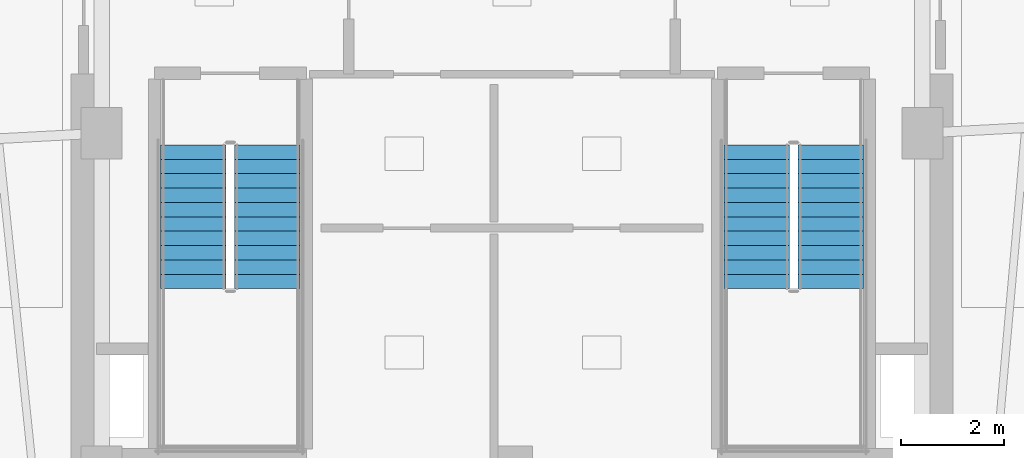
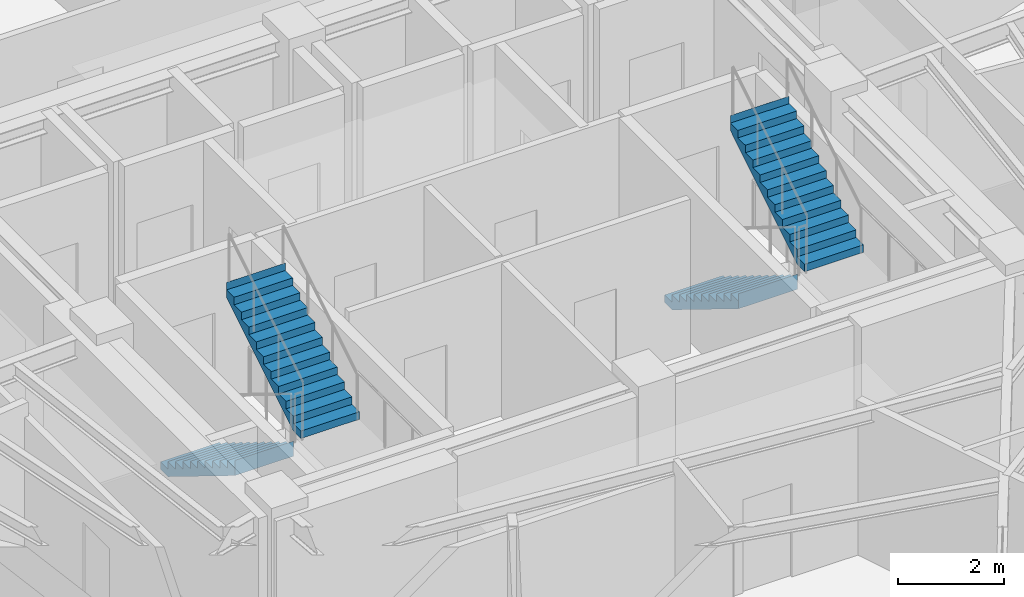
# One storey, part 10 of 13: 4 stair flights, 2 elements without a shape of their own.
"""IFC4 building model written with IfcOpenShell, lengths in metres."""

from ifc_helpers import new_model, si_unit, direction, frame, origin, place, context, subcontext, project, spatial, polyline, outline, extrude, material, type_object, element, aggregate, save


model = new_model("IFC4")

# Units and contexts
model_context = context("Model", 3, precision=1e-05, world=origin(), true_north=direction((0.0, 1.0)))
body_context = subcontext(model_context, "Body", "Model", "MODEL_VIEW")
ifc_project = project(units=[si_unit("LENGTHUNIT", "METRE"), si_unit("AREAUNIT", "SQUARE_METRE"), si_unit("VOLUMEUNIT", "CUBIC_METRE"), si_unit("PLANEANGLEUNIT", "RADIAN"), si_unit("MASSUNIT", "GRAM", prefix="KILO")], contexts=[model_context])

# Site, building, storey
site_placement = place(None, origin())
site = spatial("IfcSite", under=ifc_project, at=site_placement, CompositionType="ELEMENT")
building_placement = place(site_placement, origin())
building = spatial("IfcBuilding", under=site, at=building_placement, Name="Ndelora Gate Hotel", CompositionType="ELEMENT")
storey_placement = place(building_placement, frame((0.0, 0.0, 235.949951171875)))
storey = spatial("IfcBuildingStorey", under=building, at=storey_placement, Name="L59", CompositionType="ELEMENT", Elevation=235.949951171875)

# Stair, stair flights
ifc_material = material(Name="Precast concrete C40/50", Category="concrete")
stair_type = type_object("IfcStairType", Name="STR-DOG-CORE", PredefinedType="HALF_TURN_STAIR", material=ifc_material)
stair_1_placement = place(storey_placement, origin())
stair_1 = element("IfcStair", 1, at=stair_1_placement, inside=storey, type_object=stair_type, Name="L59 Protected Core Exit Stair ST4", PredefinedType="HALF_TURN_STAIR")
stair_flight_type = type_object("IfcStairFlightType", Name="STF-PRECAST", PredefinedType="STRAIGHT", material=ifc_material)
stair_flight_1_placement = place(storey_placement, frame((-6.2099609375, -0.22998046875, 0.0), z_axis=(0.0, 0.0, 1.0), x_axis=(0.0, -1.0, 0.0)))
stair_flight_1 = element("IfcStairFlight", 2, at=stair_flight_1_placement, type_object=stair_flight_type, Name="ST4 flight 1", NumberOfRisers=11, NumberOfTreads=10, PredefinedType="STRAIGHT", RiserHeight=0.172727273, TreadLength=0.28, context=body_context, shape_type="SweptSolid", body=[
    extrude(outline(polyline([(-0.00048828125, 0.0), (-0.00048828125, 0.172607421875), (0.0, 0.172607421875), (0.280029296875, 0.172607421875), (0.280029296875, 0.345458984375), (0.56005859375, 0.345458984375), (0.56005859375, 0.51806640625), (0.840087890625, 0.51806640625), (0.840087890625, 0.69091796875), (1.1201171875, 0.69091796875), (1.1201171875, 0.863525390625), (1.39990234375, 0.863525390625), (1.39990234375, 1.036376953125), (1.679931640625, 1.036376953125), (1.679931640625, 1.208984375), (1.9599609375, 1.208984375), (1.9599609375, 1.3818359375), (2.239990234375, 1.3818359375), (2.239990234375, 1.554443359375), (2.52001953125, 1.554443359375), (2.52001953125, 1.727294921875), (2.800048828125, 1.727294921875), (2.800048828125, 1.89990234375), (2.800537109375, 1.89990234375), (2.800537109375, 1.719970703125), (2.800048828125, 1.551025390625), (0.285400390625, 0.0), (-0.00048828125, 0.0)])), frame((0.0, 0.64013671875, 0.0), z_axis=(0.0, -1.0, 0.0), x_axis=(1.0, 0.0, 0.0)), (0.0, 0.0, 1.0), 1.280029296875),
])
stair_flight_2_placement = place(storey_placement, frame((-4.77001953125, -3.030029296875, 1.900146484375), z_axis=(0.0, 0.0, 1.0), x_axis=(0.0, 1.0, 0.0)))
stair_flight_2 = element("IfcStairFlight", 3, at=stair_flight_2_placement, type_object=stair_flight_type, Name="ST4 flight 2", NumberOfRisers=11, NumberOfTreads=10, PredefinedType="STRAIGHT", RiserHeight=0.172727273, TreadLength=0.28, context=body_context, shape_type="SweptSolid", body=[
    extrude(outline(polyline([(-0.00048828125, 0.0), (-0.00048828125, 0.172607421875), (0.0, 0.172607421875), (0.280029296875, 0.172607421875), (0.280029296875, 0.345458984375), (0.56005859375, 0.345458984375), (0.56005859375, 0.51806640625), (0.840087890625, 0.51806640625), (0.840087890625, 0.69091796875), (1.1201171875, 0.69091796875), (1.1201171875, 0.863525390625), (1.39990234375, 0.863525390625), (1.39990234375, 1.036376953125), (1.679931640625, 1.036376953125), (1.679931640625, 1.208984375), (1.9599609375, 1.208984375), (1.9599609375, 1.3818359375), (2.239990234375, 1.3818359375), (2.239990234375, 1.554443359375), (2.52001953125, 1.554443359375), (2.52001953125, 1.727294921875), (2.800048828125, 1.727294921875), (2.800048828125, 1.89990234375), (2.800537109375, 1.89990234375), (2.800537109375, 1.719970703125), (2.800048828125, 1.551025390625), (0.285400390625, 0.0), (-0.00048828125, 0.0)])), frame((0.0, 0.64013671875, 0.0), z_axis=(0.0, -1.0, 0.0), x_axis=(1.0, 0.0, 0.0)), (0.0, 0.0, 1.0), 1.280029296875),
])
aggregate(stair_1, [stair_flight_1, stair_flight_2])

stair_2_placement = place(storey_placement, origin())
stair_2 = element("IfcStair", 4, at=stair_2_placement, inside=storey, type_object=stair_type, Name="L59 Protected Core Exit Stair ST5", PredefinedType="HALF_TURN_STAIR")
stair_flight_3_placement = place(storey_placement, frame((4.77001953125, -0.22998046875, 0.0), z_axis=(0.0, 0.0, 1.0), x_axis=(0.0, -1.0, 0.0)))
stair_flight_3 = element("IfcStairFlight", 5, at=stair_flight_3_placement, type_object=stair_flight_type, Name="ST5 flight 1", NumberOfRisers=11, NumberOfTreads=10, PredefinedType="STRAIGHT", RiserHeight=0.172727273, TreadLength=0.28, context=body_context, shape_type="SweptSolid", body=[
    extrude(outline(polyline([(-0.00048828125, 0.0), (-0.00048828125, 0.172607421875), (0.0, 0.172607421875), (0.280029296875, 0.172607421875), (0.280029296875, 0.345458984375), (0.56005859375, 0.345458984375), (0.56005859375, 0.51806640625), (0.840087890625, 0.51806640625), (0.840087890625, 0.69091796875), (1.1201171875, 0.69091796875), (1.1201171875, 0.863525390625), (1.39990234375, 0.863525390625), (1.39990234375, 1.036376953125), (1.679931640625, 1.036376953125), (1.679931640625, 1.208984375), (1.9599609375, 1.208984375), (1.9599609375, 1.3818359375), (2.239990234375, 1.3818359375), (2.239990234375, 1.554443359375), (2.52001953125, 1.554443359375), (2.52001953125, 1.727294921875), (2.800048828125, 1.727294921875), (2.800048828125, 1.89990234375), (2.800537109375, 1.89990234375), (2.800537109375, 1.719970703125), (2.800048828125, 1.551025390625), (0.285400390625, 0.0), (-0.00048828125, 0.0)])), frame((0.0, 0.64013671875, 0.0), z_axis=(0.0, -1.0, 0.0), x_axis=(1.0, 0.0, 0.0)), (0.0, 0.0, 1.0), 1.280029296875),
])
stair_flight_4_placement = place(storey_placement, frame((6.2099609375, -3.030029296875, 1.900146484375), z_axis=(0.0, 0.0, 1.0), x_axis=(0.0, 1.0, 0.0)))
stair_flight_4 = element("IfcStairFlight", 6, at=stair_flight_4_placement, type_object=stair_flight_type, Name="ST5 flight 2", NumberOfRisers=11, NumberOfTreads=10, PredefinedType="STRAIGHT", RiserHeight=0.172727273, TreadLength=0.28, context=body_context, shape_type="SweptSolid", body=[
    extrude(outline(polyline([(-0.00048828125, 0.0), (-0.00048828125, 0.172607421875), (0.0, 0.172607421875), (0.280029296875, 0.172607421875), (0.280029296875, 0.345458984375), (0.56005859375, 0.345458984375), (0.56005859375, 0.51806640625), (0.840087890625, 0.51806640625), (0.840087890625, 0.69091796875), (1.1201171875, 0.69091796875), (1.1201171875, 0.863525390625), (1.39990234375, 0.863525390625), (1.39990234375, 1.036376953125), (1.679931640625, 1.036376953125), (1.679931640625, 1.208984375), (1.9599609375, 1.208984375), (1.9599609375, 1.3818359375), (2.239990234375, 1.3818359375), (2.239990234375, 1.554443359375), (2.52001953125, 1.554443359375), (2.52001953125, 1.727294921875), (2.800048828125, 1.727294921875), (2.800048828125, 1.89990234375), (2.800537109375, 1.89990234375), (2.800537109375, 1.719970703125), (2.800048828125, 1.551025390625), (0.285400390625, 0.0), (-0.00048828125, 0.0)])), frame((0.0, 0.64013671875, 0.0), z_axis=(0.0, -1.0, 0.0), x_axis=(1.0, 0.0, 0.0)), (0.0, 0.0, 1.0), 1.280029296875),
])
aggregate(stair_2, [stair_flight_3, stair_flight_4])

save(model, "model.ifc")
